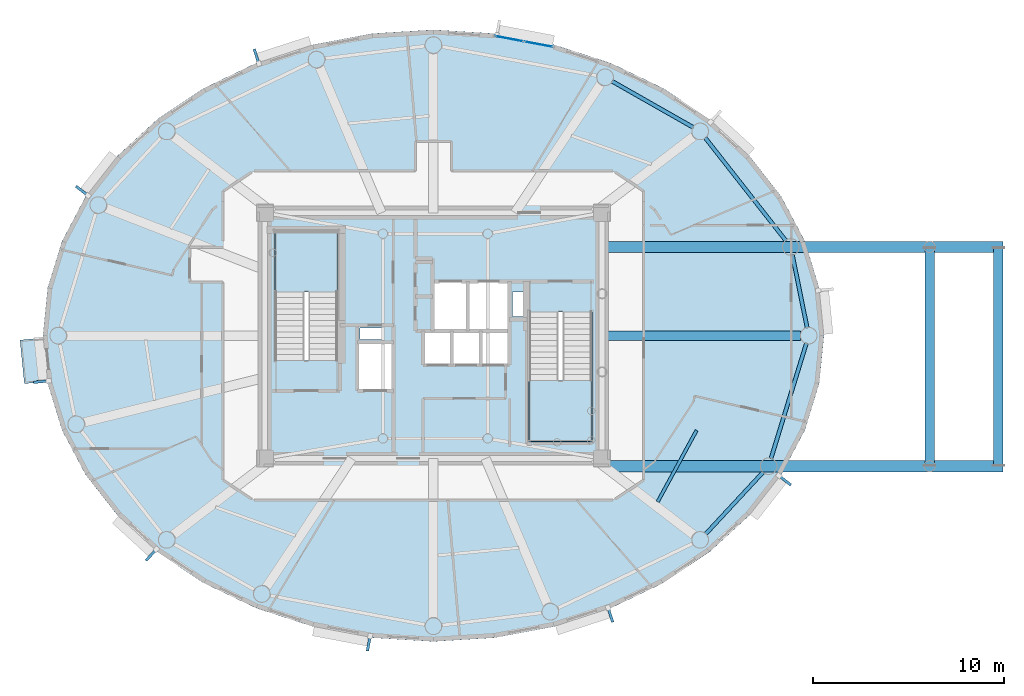
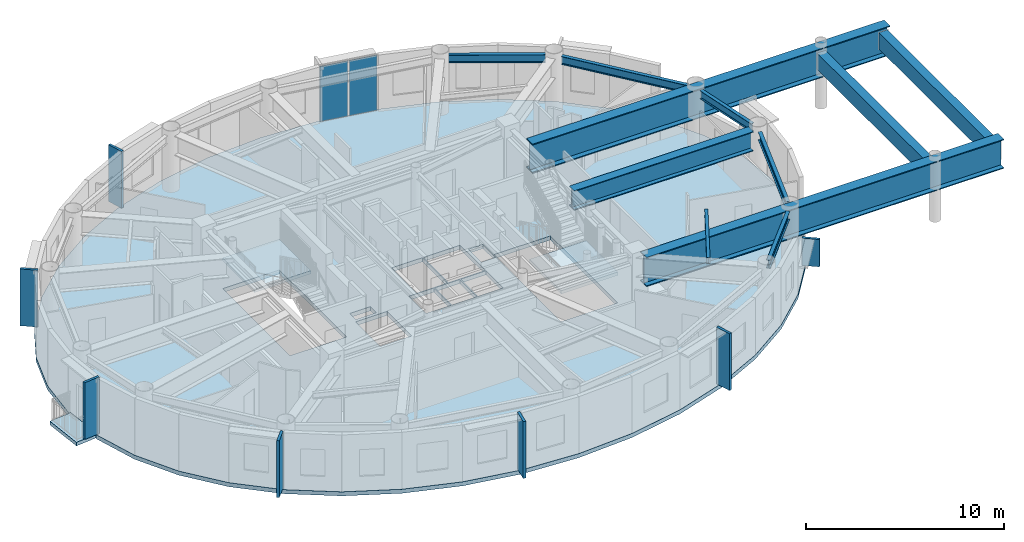
# One storey, part 4 of 16: 11 beams, 9 plates, 4 slabs, 3 elements without a shape of their own.
"""IFC4 building model written with IfcOpenShell, lengths in metres."""

import ifcopenshell
import ifcopenshell.guid

model = None  # the IFC model being written
_history = None  # IfcOwnerHistory: only IFC2X3 demands one
_inside = {}  # id of a spatial element -> (the spatial element, [elements in it])
_under = {}  # id of a project, library or spatial element -> (it, [spatial elements below it])
_declared = {}  # id of a project -> (the project, [libraries it declares])
_typed = {}  # id of a type object -> (the type object, [elements of that type])
_made_of = {}  # id of a material, layer set ... -> (it, [elements and type objects made of it])


def new_model(schema):
    """Start an empty IFC model of exactly this schema.

    Asked for "IFC4X3", IfcOpenShell would pick the latest addendum, in which some entities
    have other attributes; the version numbers below select the first issue.
    IFC2X3 requires an IfcOwnerHistory on every rooted entity: one is made here for all.
    """
    global model, _history
    if schema == "IFC4X3":
        model = ifcopenshell.file(schema_version=(4, 3, 0, 0))
    else:
        model = ifcopenshell.file(schema=schema)
    _inside.clear()
    _under.clear()
    _declared.clear()
    _typed.clear()
    _made_of.clear()
    _history = None
    if model.schema == "IFC2X3":
        org = make("IfcOrganization", Name="unknown")
        user = make(
            "IfcPersonAndOrganization",
            ThePerson=make("IfcPerson", FamilyName="unknown"),
            TheOrganization=org,
        )
        app = make(
            "IfcApplication",
            ApplicationDeveloper=org,
            Version="unknown",
            ApplicationFullName="unknown",
            ApplicationIdentifier="unknown",
        )
        _history = make(
            "IfcOwnerHistory",
            OwningUser=user,
            OwningApplication=app,
            ChangeAction="ADDED",
            CreationDate=0,
        )
    return model


def make(cls, **values):
    """One entity of the class cls with the attributes given. An attribute that is None is left unset."""
    return model.create_entity(
        cls, **{name: value for name, value in values.items() if value is not None}
    )


def rooted(cls, **values):
    """An entity with a GlobalId (a new one), such as an element, a storey or a relation."""
    return make(cls, GlobalId=ifcopenshell.guid.new(), OwnerHistory=_history, **values)


def si_unit(unit_type, name, prefix=None):
    """IfcSIUnit, for example si_unit("LENGTHUNIT", "METRE", prefix="MILLI")."""
    return make("IfcSIUnit", UnitType=unit_type, Prefix=prefix, Name=name)


def assignment(units):
    """IfcUnitAssignment: the units of a project."""
    return None if units is None else make("IfcUnitAssignment", Units=units)


def point(xyz):
    """IfcCartesianPoint."""
    return None if xyz is None else make("IfcCartesianPoint", Coordinates=xyz)


def direction(xyz):
    """IfcDirection."""
    return None if xyz is None else make("IfcDirection", DirectionRatios=xyz)


def frame(location, z_axis=None, x_axis=None):
    """IfcAxis2Placement3D, a coordinate frame: its origin and axes. An axis left out is left unset."""
    return make(
        "IfcAxis2Placement3D",
        Location=point(location),
        Axis=direction(z_axis),
        RefDirection=direction(x_axis),
    )


def frame_2d(location, x_axis=None):
    """IfcAxis2Placement2D, a coordinate frame in the plane: its origin and x axis."""
    return make(
        "IfcAxis2Placement2D", Location=point(location), RefDirection=direction(x_axis)
    )


def origin():
    """The frame at (0, 0, 0) with its axes left unset."""
    return frame((0.0, 0.0, 0.0))


def origin_2d():
    """The frame at (0, 0) in the plane with its x axis left unset."""
    return frame_2d((0.0, 0.0))


def place(relative_to, where):
    """IfcLocalPlacement: puts the frame where relative to a parent placement (None: the world)."""
    return make(
        "IfcLocalPlacement", PlacementRelTo=relative_to, RelativePlacement=where
    )


def context(
    kind, dimensions, precision=None, world=None, true_north=None, identifier=None
):
    """IfcGeometricRepresentationContext, for example the 3D "Model" context."""
    return make(
        "IfcGeometricRepresentationContext",
        ContextIdentifier=identifier,
        ContextType=kind,
        CoordinateSpaceDimension=dimensions,
        Precision=precision,
        WorldCoordinateSystem=world,
        TrueNorth=true_north,
    )


def subcontext(parent, identifier, kind, view, scale=None):
    """IfcGeometricRepresentationSubContext, for example "Body" below "Model"."""
    return make(
        "IfcGeometricRepresentationSubContext",
        ContextIdentifier=identifier,
        ContextType=kind,
        ParentContext=parent,
        TargetScale=scale,
        TargetView=view,
    )


def project(units=None, contexts=None):
    """IfcProject with its units and contexts."""
    return rooted(
        "IfcProject",
        Name="project",
        RepresentationContexts=contexts,
        UnitsInContext=assignment(units),
    )


def spatial(cls, under=None, at=None, **own):
    """A site, building, storey or space (cls), placed at a placement, below another one or the project."""
    s = rooted(cls, ObjectPlacement=at, **own)
    if under is not None:
        _under.setdefault(under.id(), (under, []))[1].append(s)
    return s


def polyline(points):
    """IfcPolyline through the points."""
    return make("IfcPolyline", Points=[point(p) for p in points])


def profile(cls, at=None, kind="AREA", **sizes):
    """A parametric profile (cls). Its sizes go by their IFC names, for example OverallWidth=200.0."""
    return make(cls, ProfileType=kind, Position=at, **sizes)


def rectangle(**sizes):
    """IfcRectangleProfileDef."""
    return profile("IfcRectangleProfileDef", **sizes)


def hollow_rectangle(**sizes):
    """IfcRectangleHollowProfileDef."""
    return profile("IfcRectangleHollowProfileDef", **sizes)


def i_section(**sizes):
    """IfcIShapeProfileDef."""
    return profile("IfcIShapeProfileDef", **sizes)


def outline(outer, holes=None, kind="AREA"):
    """IfcArbitraryClosedProfileDef: a profile drawn as a closed curve; with holes, ...WithVoids."""
    if holes is None:
        return make("IfcArbitraryClosedProfileDef", ProfileType=kind, OuterCurve=outer)
    return make(
        "IfcArbitraryProfileDefWithVoids",
        ProfileType=kind,
        OuterCurve=outer,
        InnerCurves=holes,
    )


def extrude(swept, where, along, depth):
    """IfcExtrudedAreaSolid: the profile swept, set in the frame where, extruded along a direction by depth."""
    return make(
        "IfcExtrudedAreaSolid",
        SweptArea=swept,
        Position=where,
        ExtrudedDirection=direction(along),
        Depth=depth,
    )


def shape(context_of_items, identifier, shape_type, items):
    """IfcShapeRepresentation: the items that make up one representation, for example the "Body"."""
    return make(
        "IfcShapeRepresentation",
        ContextOfItems=context_of_items,
        RepresentationIdentifier=identifier,
        RepresentationType=shape_type,
        Items=items,
    )


def source(mapping_origin, context_of_items, identifier, shape_type, items):
    """IfcRepresentationMap: a shape defined once, which mapped items show again and again."""
    return make(
        "IfcRepresentationMap",
        MappingOrigin=mapping_origin,
        MappedRepresentation=shape(context_of_items, identifier, shape_type, items),
    )


def transform(
    local_origin,
    x_axis=None,
    y_axis=None,
    z_axis=None,
    scale=None,
    scale2=None,
    scale3=None,
    uniform=True,
):
    """IfcCartesianTransformationOperator3D, or its non-uniform kind. x_axis, y_axis, z_axis: its Axis1, 2, 3."""
    if uniform:
        return make(
            "IfcCartesianTransformationOperator3D",
            Axis1=direction(x_axis),
            Axis2=direction(y_axis),
            LocalOrigin=point(local_origin),
            Scale=scale,
            Axis3=direction(z_axis),
        )
    return make(
        "IfcCartesianTransformationOperator3DnonUniform",
        Axis1=direction(x_axis),
        Axis2=direction(y_axis),
        LocalOrigin=point(local_origin),
        Scale=scale,
        Axis3=direction(z_axis),
        Scale2=scale2,
        Scale3=scale3,
    )


def mapped(mapping_source, mapping_target):
    """IfcMappedItem: shows the shape of a source again, moved by a transform."""
    return make(
        "IfcMappedItem", MappingSource=mapping_source, MappingTarget=mapping_target
    )


def material(Name=None, Category=None):
    """IfcMaterial."""
    return make("IfcMaterial", Name=Name, Category=Category)


def layer(
    of_material, thickness, ventilated=None, Name=None, Category=None, Priority=None
):
    """IfcMaterialLayer: one layer of a wall or slab, of a material (None: an air gap)."""
    return make(
        "IfcMaterialLayer",
        Material=of_material,
        LayerThickness=thickness,
        IsVentilated=ventilated,
        Name=Name,
        Category=Category,
        Priority=Priority,
    )


def layer_set(layers, Name=None):
    """IfcMaterialLayerSet."""
    return make("IfcMaterialLayerSet", MaterialLayers=layers, LayerSetName=Name)


def material_profile(
    of_material, cross_section, Name=None, Category=None, Priority=None
):
    """IfcMaterialProfile: a cross section and its material."""
    return make(
        "IfcMaterialProfile",
        Name=Name,
        Material=of_material,
        Profile=cross_section,
        Priority=Priority,
        Category=Category,
    )


def profile_set(profiles, Name=None, composite=None):
    """IfcMaterialProfileSet."""
    return make(
        "IfcMaterialProfileSet",
        Name=Name,
        MaterialProfiles=profiles,
        CompositeProfile=composite,
    )


def made_of(thing, what):
    """Note that an element or type object is made of a material, layer set ...; save() writes the relation."""
    if what is not None:
        _made_of.setdefault(what.id(), (what, []))[1].append(thing)
    return thing


def type_object(cls, material=None, **own):
    """A type object (cls), such as IfcWallType, which elements share."""
    return made_of(rooted(cls, **own), material)


def element(
    cls,
    number,
    at=None,
    inside=None,
    cuts=None,
    type_object=None,
    material=None,
    context=None,
    identifier="Body",
    shape_type=None,
    held_by="IfcProductDefinitionShape",
    body=None,
    shapes=None,
    **own,
):
    """One element of the class cls, such as IfcWall. Its Tag is "e" and its number.

    at: its placement. inside: the storey or other place that contains it. cuts: it is an
    opening in that element (IfcRelVoidsElement). A single representation is given by context,
    identifier, shape_type and body (its items); several are given by shapes. held_by: the class
    of the entity that holds the representations. save() writes the other relations.
    """
    e = rooted(cls, Tag="e%d" % number, ObjectPlacement=at, **own)
    if body is not None:
        shapes = [shape(context, identifier, shape_type, body)]
    if shapes is not None:
        e.Representation = make(held_by, Representations=shapes)
    if inside is not None:
        _inside.setdefault(inside.id(), (inside, []))[1].append(e)
    if cuts is not None:
        rooted(
            "IfcRelVoidsElement", RelatingBuildingElement=cuts, RelatedOpeningElement=e
        )
    if type_object is not None:
        _typed.setdefault(type_object.id(), (type_object, []))[1].append(e)
    return made_of(e, material)


def aggregate(whole, parts):
    """IfcRelAggregates: a whole, such as a stair, and the parts it consists of."""
    return rooted("IfcRelAggregates", RelatingObject=whole, RelatedObjects=parts)


def save(model, path):
    """Write the relations noted so far, then the file.

    IfcRelAggregates (storeys below a building ...), IfcRelContainedInSpatialStructure (elements
    in a storey), IfcRelDefinesByType, IfcRelAssociatesMaterial and IfcRelDeclares: one each for
    every whole, place, type object, material and project.
    """
    for whole, parts in _under.values():
        aggregate(whole, parts)
    for where, things in _inside.values():
        rooted(
            "IfcRelContainedInSpatialStructure",
            RelatedElements=things,
            RelatingStructure=where,
        )
    for kind, things in _typed.values():
        rooted("IfcRelDefinesByType", RelatedObjects=things, RelatingType=kind)
    for what, things in _made_of.values():
        rooted("IfcRelAssociatesMaterial", RelatedObjects=things, RelatingMaterial=what)
    for by, libraries in _declared.values():
        rooted("IfcRelDeclares", RelatingContext=by, RelatedDefinitions=libraries)
    model.write(path)


model = new_model("IFC4")

# Units and contexts
model_context = context("Model", 3, precision=1e-05, world=origin(), true_north=direction((0.0, 1.0)))
body_context = subcontext(model_context, "Body", "Model", "MODEL_VIEW")
ifc_project = project(units=[si_unit("LENGTHUNIT", "METRE"), si_unit("AREAUNIT", "SQUARE_METRE"), si_unit("VOLUMEUNIT", "CUBIC_METRE"), si_unit("PLANEANGLEUNIT", "RADIAN"), si_unit("MASSUNIT", "GRAM", prefix="KILO")], contexts=[model_context])

# Site, building, storey
site_placement = place(None, origin())
site = spatial("IfcSite", under=ifc_project, at=site_placement, CompositionType="ELEMENT")
building_placement = place(site_placement, origin())
building = spatial("IfcBuilding", under=site, at=building_placement, Name="Linh Dai School and Residence Tower", CompositionType="ELEMENT")
storey_placement = place(building_placement, frame((0.0, 0.0, 343.0)))
storey = spatial("IfcBuildingStorey", under=building, at=storey_placement, Name="L85", CompositionType="ELEMENT", Elevation=343.0)

# Beams
ifc_material_1 = material(Name="Structural Steel S355JR", Category="steel")
ifc_material_profile_1 = material_profile(ifc_material_1, hollow_rectangle(XDim=0.5, YDim=1.0, WallThickness=0.031982421875, at=origin_2d()), Name="RHS 1000x500x32")
ifc_profile_set_1 = profile_set([ifc_material_profile_1], Name="Structural Steel S355JR")
beam_type_1 = type_object("IfcBeamType", Name="BM-BX10", PredefinedType="BEAM", material=ifc_profile_set_1)
for number, where, z_axis, x_axis, name in (
    (1, (62.050048828125, 20.1875, 2.60009765625), (0.0, 1.0, 0.0), (-1.0, 0.0, 0.0), "L85 Sky-Lounge Transverse Edge Girder MID"),
    (2, (65.64990234375, 20.1875, 2.60009765625), (0.0, 1.0, 0.0), (-1.0, 0.0, 0.0), "L85 Sky-Lounge Transverse Edge Girder TIP"),
):
    element("IfcBeam", number, at=place(storey_placement, frame(where, z_axis=z_axis, x_axis=x_axis)), inside=storey, type_object=beam_type_1, Name=name, PredefinedType="BEAM", context=body_context, shape_type="SweptSolid", body=[
        extrude(hollow_rectangle(XDim=0.5, YDim=1.0, WallThickness=0.031982421875, at=origin_2d()), origin(), (0.0, 0.0, 1.0), 11.42724609375),
    ])
ifc_material_profile_2 = material_profile(ifc_material_1, i_section(OverallWidth=0.199951171875, OverallDepth=0.5, WebThickness=0.01025390625, FlangeThickness=0.01611328125, FilletRadius=0.02099609375, at=origin_2d()), Name="IPE 500")
ifc_profile_set_2 = profile_set([ifc_material_profile_2], Name="Structural Steel S355JR")
beam_type_2 = type_object("IfcBeamType", Name="BM-RB50", PredefinedType="BEAM", material=ifc_profile_set_2)
beam_1_placement = place(storey_placement, frame((55.61669921875, 27.41162109375, 3.25), z_axis=(-0.198409502721, 0.980119211744, 0.0), x_axis=(-0.980119211744, -0.198409502721, 0.0)))
element("IfcBeam", 3, at=beam_1_placement, inside=storey, type_object=beam_type_2, Name="L85 Perimeter Elliptical Ring Beam 01", PredefinedType="BEAM", context=body_context, shape_type="SweptSolid", body=[
    extrude(i_section(OverallWidth=0.199951171875, OverallDepth=0.5, WebThickness=0.01025390625, FlangeThickness=0.01611328125, FilletRadius=0.02099609375, at=origin_2d()), origin(), (0.0, 0.0, 1.0), 3.9091796875),
])
beam_2_placement = place(storey_placement, frame((54.498779296875, 31.9853515625, 3.25), z_axis=(-0.616844770958, 0.787084829318, 0.0), x_axis=(-0.787084829318, -0.616844770958, 0.0)))
element("IfcBeam", 4, at=beam_2_placement, inside=storey, type_object=beam_type_2, Name="L85 Perimeter Elliptical Ring Beam 02", PredefinedType="BEAM", context=body_context, shape_type="SweptSolid", body=[
    extrude(i_section(OverallWidth=0.199951171875, OverallDepth=0.5, WebThickness=0.01025390625, FlangeThickness=0.01611328125, FilletRadius=0.02099609375, at=origin_2d()), origin(), (0.0, 0.0, 1.0), 6.869384765625),
])
beam_3_placement = place(storey_placement, frame((49.637451171875, 37.930419921875, 3.25), z_axis=(-0.86923725405, 0.494395182189, 0.0), x_axis=(-0.494395182189, -0.86923725405, 0.0)))
element("IfcBeam", 5, at=beam_3_placement, inside=storey, type_object=beam_type_2, Name="L85 Perimeter Elliptical Ring Beam 03", PredefinedType="BEAM", context=body_context, shape_type="SweptSolid", body=[
    extrude(i_section(OverallWidth=0.199951171875, OverallDepth=0.5, WebThickness=0.01025390625, FlangeThickness=0.01611328125, FilletRadius=0.02099609375, at=origin_2d()), origin(), (0.0, 0.0, 1.0), 4.903076171875),
])
beam_4_placement = place(storey_placement, frame((50.2880859375, 16.5849609375, 3.25), z_axis=(0.680339330162, 0.732897261446, 0.0), x_axis=(-0.732897261446, 0.680339330162, 0.0)))
element("IfcBeam", 6, at=beam_4_placement, inside=storey, type_object=beam_type_2, Name="L85 Perimeter Elliptical Ring Beam 15", PredefinedType="BEAM", context=body_context, shape_type="SweptSolid", body=[
    extrude(i_section(OverallWidth=0.199951171875, OverallDepth=0.5, WebThickness=0.01025390625, FlangeThickness=0.01611328125, FilletRadius=0.02099609375, at=origin_2d()), origin(), (0.0, 0.0, 1.0), 4.440673828125),
])
beam_5_placement = place(storey_placement, frame((53.718505859375, 20.548828125, 3.25), z_axis=(0.293606003102, 0.955926521728, 0.0), x_axis=(-0.955926521728, 0.293606003102, 0.0)))
element("IfcBeam", 7, at=beam_5_placement, inside=storey, type_object=beam_type_2, Name="L85 Perimeter Elliptical Ring Beam 16", PredefinedType="BEAM", context=body_context, shape_type="SweptSolid", body=[
    extrude(i_section(OverallWidth=0.199951171875, OverallDepth=0.5, WebThickness=0.01025390625, FlangeThickness=0.01611328125, FilletRadius=0.02099609375, at=origin_2d()), origin(), (0.0, 0.0, 1.0), 6.32861328125),
])
ifc_material_profile_3 = material_profile(ifc_material_1, i_section(OverallWidth=0.169921875, OverallDepth=0.360107421875, WebThickness=0.008056640625, FlangeThickness=0.0126953125, FilletRadius=0.01806640625, at=origin_2d()), Name="IPE 360")
ifc_profile_set_3 = profile_set([ifc_material_profile_3], Name="Structural Steel S355JR")
beam_type_3 = type_object("IfcBeamType", Name="BM-SB36", PredefinedType="BEAM", material=ifc_profile_set_3)
beam_6_placement = place(storey_placement, frame((47.76904296875, 18.273681640625, 3.320068359375), z_axis=(0.478255444283, 0.878220775212, 0.0), x_axis=(-0.878220775212, 0.478255444283, 0.0)))
element("IfcBeam", 8, at=beam_6_placement, inside=storey, type_object=beam_type_3, Name="L85 Secondary Circumferential Floor Beam 08", PredefinedType="BEAM", context=body_context, shape_type="SweptSolid", body=[
    extrude(i_section(OverallWidth=0.169921875, OverallDepth=0.360107421875, WebThickness=0.008056640625, FlangeThickness=0.0126953125, FilletRadius=0.01806640625, at=origin_2d()), origin(), (0.0, 0.0, 1.0), 4.272216796875),
])
ifc_material_profile_4 = material_profile(ifc_material_1, i_section(OverallWidth=0.5, OverallDepth=1.199951171875, WebThickness=0.02392578125, FlangeThickness=0.044921875, at=origin_2d()), Name="PG 1200x500x24x45")
ifc_profile_set_4 = profile_set([ifc_material_profile_4], Name="Structural Steel S355JR")
beam_type_4 = type_object("IfcBeamType", Name="BM-TG12", PredefinedType="BEAM", material=ifc_profile_set_4)
beam_7_placement = place(storey_placement, frame((44.85009765625, 27.0, 2.89990234375), z_axis=(1.0, 0.0, 0.0), x_axis=(0.0, 1.0, 0.0)))
element("IfcBeam", 9, at=beam_7_placement, inside=storey, type_object=beam_type_4, Name="L85 Primary Radial Floor Girder 01", PredefinedType="BEAM", context=body_context, shape_type="SweptSolid", body=[
    extrude(i_section(OverallWidth=0.5, OverallDepth=1.199951171875, WebThickness=0.02392578125, FlangeThickness=0.044921875, at=origin_2d()), origin(), (0.0, 0.0, 1.0), 10.429931640625),
])
ifc_material_profile_5 = material_profile(ifc_material_1, i_section(OverallWidth=0.60009765625, OverallDepth=1.800048828125, WebThickness=0.030029296875, FlangeThickness=0.054931640625, at=origin_2d()), Name="PG 1800x600x30x55")
ifc_profile_set_5 = profile_set([ifc_material_profile_5], Name="Structural Steel S355JR")
beam_type_5 = type_object("IfcBeamType", Name="BM-TG18", PredefinedType="BEAM", material=ifc_profile_set_5)
for number, where, z_axis, x_axis, name in (
    (10, (45.073974609375, 20.1474609375, 2.60009765625), (1.0, 0.0, 0.0), (0.0, 1.0, 0.0), "L85 Sky-Lounge Continuous Main Transfer Girder S"),
    (11, (45.073974609375, 31.65478515625, 2.60009765625), (1.0, 0.0, 0.0), (0.0, 1.0, 0.0), "L85 Sky-Lounge Continuous Main Transfer Girder N"),
):
    element("IfcBeam", number, at=place(storey_placement, frame(where, z_axis=z_axis, x_axis=x_axis)), inside=storey, type_object=beam_type_5, Name=name, PredefinedType="BEAM", context=body_context, shape_type="SweptSolid", body=[
        extrude(i_section(OverallWidth=0.60009765625, OverallDepth=1.800048828125, WebThickness=0.030029296875, FlangeThickness=0.054931640625, at=origin_2d()), origin(), (0.0, 0.0, 1.0), 20.825927734375),
    ])

# Slabs
ifc_material_2 = material(Name="Concrete B45 (C35/45)", Category="concrete")
ifc_layer_1 = layer(ifc_material_2, 0.219970703125)
ifc_layer_set_1 = layer_set([ifc_layer_1], Name="Concrete B45 (C35/45)")
slab_type_1 = type_object("IfcSlabType", Name="SLB-BALC-220", PredefinedType="FLOOR", material=ifc_layer_set_1)
slab_1_placement = place(storey_placement, frame((0.0, 0.0, -0.219970703125)))
element("IfcSlab", 12, at=slab_1_placement, inside=storey, type_object=slab_type_1, Name="L85 Sliding Balcony Slab 21", PredefinedType="FLOOR", context=body_context, shape_type="SweptSolid", body=[
    extrude(outline(polyline([(15.820068359375, 24.608154296875), (15.59033203125, 26.89599609375), (14.296630859375, 26.76611328125), (14.526611328125, 24.478271484375), (15.820068359375, 24.608154296875)])), origin(), (0.0, 0.0, 1.0), 0.219970703125),
])
ifc_layer_2 = layer(ifc_material_2, 0.25)
ifc_layer_set_2 = layer_set([ifc_layer_2], Name="Concrete B45 (C35/45)")
slab_type_2 = type_object("IfcSlabType", Name="SLB-FLR250", PredefinedType="FLOOR", material=ifc_layer_set_2)
slab_2_placement = place(storey_placement, frame((0.0, 0.0, -0.25)))
element("IfcSlab", 13, at=slab_2_placement, inside=storey, type_object=slab_type_2, Name="L85 Composite Structural Floor Slab", PredefinedType="FLOOR", context=body_context, shape_type="SweptSolid", body=[
    extrude(outline(polyline([(56.5, 27.0), (56.24755859375, 29.511474609375), (55.49658203125, 31.961181640625), (54.265625, 34.288818359375), (52.5849609375, 36.43701171875), (50.49560546875, 38.3525390625), (48.049560546875, 39.98876953125), (45.306884765625, 41.30517578125), (42.3349609375, 42.269287109375), (39.206787109375, 42.857421875), (36.0, 43.054931640625), (32.793212890625, 42.857421875), (29.6650390625, 42.269287109375), (26.693115234375, 41.30517578125), (23.950439453125, 39.98876953125), (21.50439453125, 38.3525390625), (19.4150390625, 36.43701171875), (17.734375, 34.288818359375), (16.50341796875, 31.961181640625), (15.75244140625, 29.511474609375), (15.5, 27.0), (15.75244140625, 24.488525390625), (16.50341796875, 22.038818359375), (17.734375, 19.711181640625), (19.4150390625, 17.56298828125), (21.50439453125, 15.6474609375), (23.950439453125, 14.01123046875), (26.693115234375, 12.69482421875), (29.6650390625, 11.730712890625), (32.793212890625, 11.142578125), (36.0, 10.945068359375), (39.206787109375, 11.142578125), (42.3349609375, 11.730712890625), (45.306884765625, 12.69482421875), (48.049560546875, 14.01123046875), (50.49560546875, 15.6474609375), (52.5849609375, 17.56298828125), (54.265625, 19.711181640625), (55.49658203125, 22.038818359375), (56.24755859375, 24.488525390625), (56.5, 27.0)]), holes=[polyline([(30.97998046875, 25.699951171875), (30.97998046875, 32.5), (27.679931640625, 32.5), (27.679931640625, 25.699951171875), (30.97998046875, 25.699951171875)]), polyline([(41.02001953125, 28.25), (41.02001953125, 21.449951171875), (44.320068359375, 21.449951171875), (44.320068359375, 28.25), (41.02001953125, 28.25)]), polyline([(35.97998046875, 27.280029296875), (37.77001953125, 27.280029296875), (37.77001953125, 29.820068359375), (35.97998046875, 29.820068359375), (35.97998046875, 27.280029296875)]), polyline([(32.030029296875, 24.1298828125), (33.8701171875, 24.1298828125), (33.8701171875, 26.6201171875), (32.030029296875, 26.6201171875), (32.030029296875, 24.1298828125)]), polyline([(37.830078125, 27.280029296875), (39.969970703125, 27.280029296875), (39.969970703125, 29.820068359375), (37.830078125, 29.820068359375), (37.830078125, 27.280029296875)]), polyline([(35.47998046875, 25.47998046875), (36.929931640625, 25.47998046875), (36.929931640625, 27.219970703125), (35.47998046875, 27.219970703125), (35.47998046875, 25.47998046875)]), polyline([(36.989990234375, 25.47998046875), (38.449951171875, 25.47998046875), (38.449951171875, 27.219970703125), (36.989990234375, 27.219970703125), (36.989990234375, 25.47998046875)]), polyline([(38.510009765625, 25.47998046875), (39.969970703125, 25.47998046875), (39.969970703125, 27.219970703125), (38.510009765625, 27.219970703125), (38.510009765625, 25.47998046875)]), polyline([(40.14990234375, 28.0), (40.14990234375, 29.300048828125), (41.0, 29.300048828125), (41.0, 28.280029296875), (40.989990234375, 28.280029296875), (40.989990234375, 28.0), (40.14990234375, 28.0)]), polyline([(32.14990234375, 26.800048828125), (33.35009765625, 26.800048828125), (33.35009765625, 27.39990234375), (32.14990234375, 27.39990234375), (32.14990234375, 26.800048828125)])]), origin(), (0.0, 0.0, 1.0), 0.25),
])

# Stair, slab
stair_type = type_object("IfcStairType", Name="ST-DOG-1550-R1462", PredefinedType="HALF_TURN_STAIR", material=ifc_material_2)
stair_1_placement = place(storey_placement, origin())
stair_1 = element("IfcStair", 14, at=stair_1_placement, inside=storey, type_object=stair_type, Name="L85 Core Smokeproof Exit Stair ST1", PredefinedType="HALF_TURN_STAIR")
ifc_layer_3 = layer(ifc_material_2, 0.199951171875)
ifc_layer_set_3 = layer_set([ifc_layer_3], Name="Concrete B45 (C35/45)")
slab_type_3 = type_object("IfcSlabType", Name="SLB-ST-LANDING-200", PredefinedType="LANDING", material=ifc_layer_set_3)
slab_3_placement = place(storey_placement, frame((0.0, 0.0, 1.699951171875)))
slab_3 = element("IfcSlab", 15, at=slab_3_placement, type_object=slab_type_3, Name="ST1 landing 1", PredefinedType="LANDING", context=body_context, shape_type="SweptSolid", body=[
    extrude(outline(polyline([(30.97998046875, 29.300048828125), (30.97998046875, 32.5), (27.679931640625, 32.5), (27.679931640625, 29.300048828125), (30.97998046875, 29.300048828125)])), origin(), (0.0, 0.0, 1.0), 0.199951171875),
])
aggregate(stair_1, [slab_3])

stair_2_placement = place(storey_placement, origin())
stair_2 = element("IfcStair", 16, at=stair_2_placement, inside=storey, type_object=stair_type, Name="L85 Core Smokeproof Exit Stair ST2", PredefinedType="HALF_TURN_STAIR")
slab_4_placement = place(storey_placement, frame((0.0, 0.0, 1.699951171875)))
slab_4 = element("IfcSlab", 17, at=slab_4_placement, type_object=slab_type_3, Name="ST2 landing 1", PredefinedType="LANDING", context=body_context, shape_type="SweptSolid", body=[
    extrude(outline(polyline([(41.02001953125, 24.64990234375), (41.02001953125, 21.449951171875), (44.320068359375, 21.449951171875), (44.320068359375, 24.64990234375), (41.02001953125, 24.64990234375)])), origin(), (0.0, 0.0, 1.0), 0.199951171875),
])
aggregate(stair_2, [slab_4])

# Plates
ifc_material_3 = material(Name="Precast Concrete B45 (C35/45)", Category="concrete")
ifc_layer_4 = layer(ifc_material_3, 0.139892578125)
ifc_layer_set_4 = layer_set([ifc_layer_4], Name="Precast Concrete B45 (C35/45)")
plate_type_1 = type_object("IfcPlateType", Name="FIN-TC-900x140", PredefinedType="USERDEFINED", material=ifc_layer_set_4)
shared_shape_1 = source(origin(), body_context, "Body", "SweptSolid", [
    extrude(rectangle(XDim=0.89990234375, YDim=0.139892578125, at=origin_2d()), origin(), (0.0, 0.0, 1.0), 3.5),
])
for number, where, z_axis, x_axis, name in (
    (18, (26.72705078125, 41.615966796875, 0.0), (0.0, 0.0, 1.0), (-0.30856528097, 0.951203168298, 0.0), "L85 Precast Terracotta Radial Fin 13"),
    (19, (17.590087890625, 34.56787109375, 0.0), (0.0, 0.0, 1.0), (-0.787553267085, 0.616246583361, 0.0), "L85 Precast Terracotta Radial Fin 17"),
    (20, (15.455078125, 24.591552734375, 0.0), (0.0, 0.0, 1.0), (-0.994988264886, -0.099991763355, 0.0), "L85 Precast Terracotta Radial Fin 21"),
    (21, (21.2158203125, 15.524658203125, 0.0), (0.0, 0.0, 1.0), (-0.675840935412, -0.73704750866, 0.0), "L85 Precast Terracotta Radial Fin 25"),
    (22, (32.61474609375, 10.885986328125, 0.0), (0.0, 0.0, 1.0), (-0.184784564405, -0.982779051851, 0.0), "L85 Precast Terracotta Radial Fin 29"),
    (23, (45.27294921875, 12.384033203125, 0.0), (0.0, 0.0, 1.0), (0.30856528097, -0.951203168298, 0.0), "L85 Precast Terracotta Radial Fin 33"),
):
    element("IfcPlate", number, at=place(storey_placement, frame(where, z_axis=z_axis, x_axis=x_axis)), inside=storey, type_object=plate_type_1, Name=name, ObjectType="RADIAL FIN", PredefinedType="USERDEFINED", context=body_context, shape_type="MappedRepresentation", body=[
        mapped(shared_shape_1, transform((0.0, 0.0, 0.0), x_axis=(1.0, 0.0, 0.0), y_axis=(0.0, 1.0, 0.0), z_axis=(0.0, 0.0, 1.0), scale=1.0)),
    ])

# Curtain wall, plates
ifc_material_4 = material(Name="Aluminium Anodised Curtain Wall", Category="aluminium")
ifc_layer_5 = layer(ifc_material_4, 0.14990234375)
ifc_layer_set_5 = layer_set([ifc_layer_5], Name="Aluminium Anodised Curtain Wall")
curtain_wall_type = type_object("IfcCurtainWallType", Name="CW-SYS-4", PredefinedType="USERDEFINED", material=ifc_layer_set_5)
curtain_wall_placement = place(storey_placement, origin())
curtain_wall = element("IfcCurtainWall", 24, at=curtain_wall_placement, inside=storey, type_object=curtain_wall_type, Name="L85 CW4 Curtain Wall 09", ObjectType="RIBBON CURTAIN WALL", PredefinedType="USERDEFINED")
ifc_material_5 = material(Name="Double Low-E Insulated Glazing", Category="glass")
ifc_layer_6 = layer(ifc_material_5, 0.02587890625)
ifc_layer_set_6 = layer_set([ifc_layer_6], Name="Double Low-E Insulated Glazing")
plate_type_2 = type_object("IfcPlateType", Name="CW-SYS-4-PAN", PredefinedType="CURTAIN_PANEL", material=ifc_layer_set_6)
shared_shape_2 = source(origin(), body_context, "Body", "SweptSolid", [
    extrude(rectangle(XDim=1.505615234375, YDim=0.02587890625, at=origin_2d()), origin(), (0.0, 0.0, 1.0), 3.39599609375),
])
plate_1_placement = place(storey_placement, frame((39.982421875, 42.58447265625, 0.052001953125), z_axis=(0.0, 0.0, 1.0), x_axis=(0.982779051851, -0.184784564405, 0.0)))
plate_1 = element("IfcPlate", 25, at=plate_1_placement, type_object=plate_type_2, Name="CW4 panel 1.1", PredefinedType="CURTAIN_PANEL", context=body_context, shape_type="MappedRepresentation", body=[
    mapped(shared_shape_2, transform((0.0, 0.0, 0.0), x_axis=(1.0, 0.0, 0.0), y_axis=(0.0, 1.0, 0.0), z_axis=(0.0, 0.0, 1.0), scale=1.0)),
])
plate_2_placement = place(storey_placement, frame((41.51318359375, 42.296875, 0.052001953125), z_axis=(0.0, 0.0, 1.0), x_axis=(0.982779051851, -0.184784564405, 0.0)))
plate_2 = element("IfcPlate", 26, at=plate_2_placement, type_object=plate_type_2, Name="CW4 panel 2.1", PredefinedType="CURTAIN_PANEL", context=body_context, shape_type="MappedRepresentation", body=[
    mapped(shared_shape_2, transform((0.0, 0.0, 0.0), x_axis=(1.0, 0.0, 0.0), y_axis=(0.0, 1.0, 0.0), z_axis=(0.0, 0.0, 1.0), scale=1.0)),
])
aggregate(curtain_wall, [plate_1, plate_2])

# Plate
shared_shape_3 = source(origin(), body_context, "Body", "SweptSolid", [
    extrude(rectangle(XDim=0.89990234375, YDim=0.139892578125, at=origin_2d()), origin(), (0.0, 0.0, 1.0), 1.68505859375),
])
plate_3_placement = place(storey_placement, frame((54.409912109375, 19.43212890625, 0.0), z_axis=(0.0, 0.0, 1.0), x_axis=(0.787553267085, -0.616246583361, 0.0)))
element("IfcPlate", 27, at=plate_3_placement, inside=storey, type_object=plate_type_1, Name="L85 Precast Terracotta Radial Fin 37", ObjectType="RADIAL FIN", PredefinedType="USERDEFINED", context=body_context, shape_type="MappedRepresentation", body=[
    mapped(shared_shape_3, transform((0.0, 0.0, 0.0), x_axis=(1.0, 0.0, 0.0), y_axis=(0.0, 1.0, 0.0), z_axis=(0.0, 0.0, 1.0), scale=1.0)),
])

save(model, "model.ifc")
